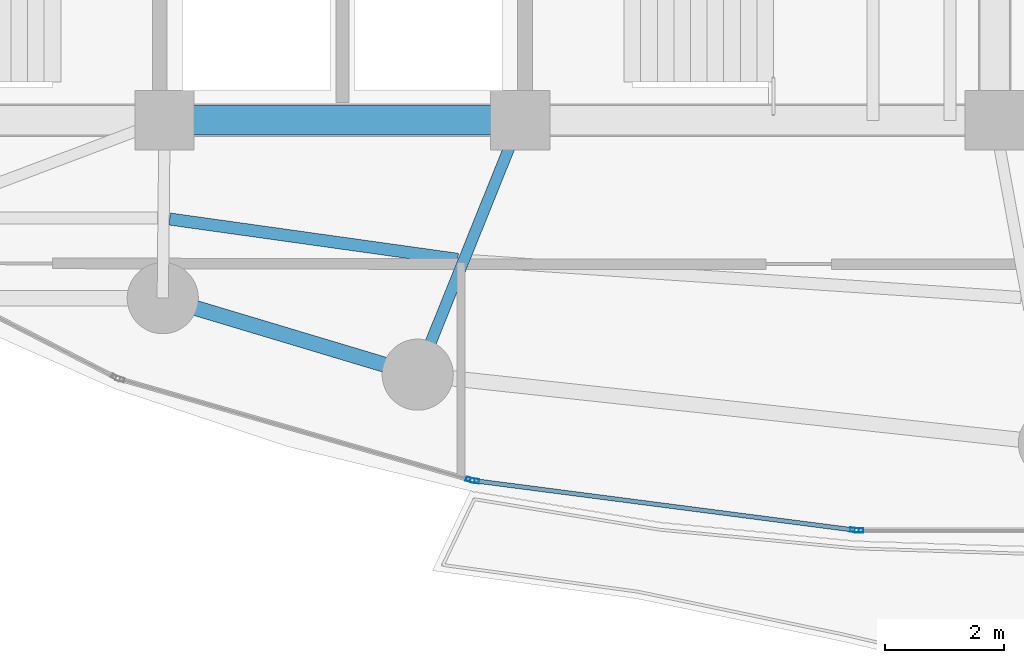
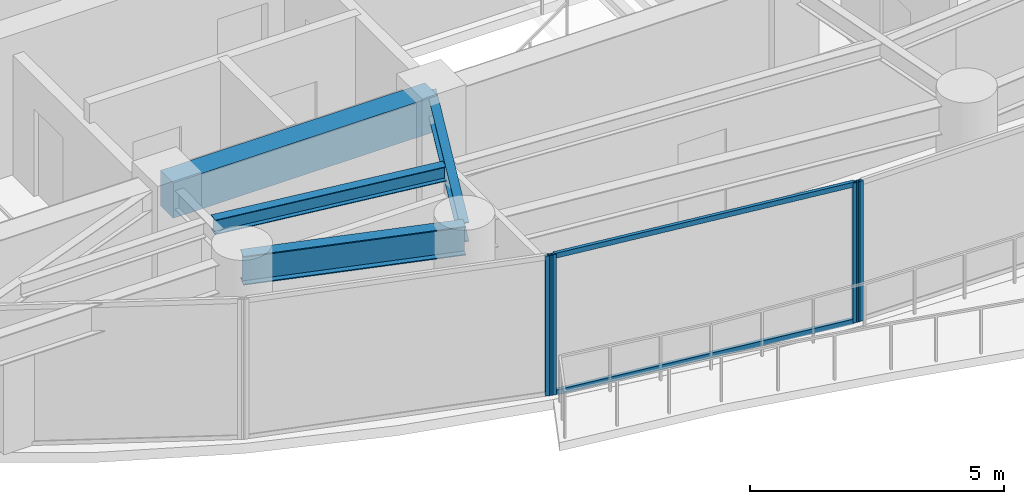
# One storey, part 5 of 30: 6 members, 4 beams, 3 elements without a shape of their own.
"""IFC4 building model written with IfcOpenShell, lengths in metres."""

from ifc_helpers import new_model, si_unit, direction, frame, origin, origin_2d, place, context, subcontext, project, spatial, rectangle, hollow_rectangle, i_section, extrude, material, layer, layer_set, material_profile, profile_set, type_object, element, aggregate, save


model = new_model("IFC4")

# Units and contexts
model_context = context("Model", 3, precision=1e-05, world=origin(), true_north=direction((0.0, 1.0)))
body_context = subcontext(model_context, "Body", "Model", "MODEL_VIEW")
ifc_project = project(units=[si_unit("LENGTHUNIT", "METRE"), si_unit("AREAUNIT", "SQUARE_METRE"), si_unit("VOLUMEUNIT", "CUBIC_METRE"), si_unit("PLANEANGLEUNIT", "RADIAN"), si_unit("MASSUNIT", "GRAM", prefix="KILO")], contexts=[model_context])

# Site, building, storey
site_placement = place(None, origin())
site = spatial("IfcSite", under=ifc_project, at=site_placement, CompositionType="ELEMENT")
building_placement = place(site_placement, origin())
building = spatial("IfcBuilding", under=site, at=building_placement, Name="Kazevale Care Tower and Concert Hall", CompositionType="ELEMENT")
storey_placement = place(building_placement, frame((0.0, 0.0, 127.800048828125)))
storey = spatial("IfcBuildingStorey", under=building, at=storey_placement, Name="L33", CompositionType="ELEMENT", Elevation=127.800048828125)

# Curtain wall, member
ifc_material_1 = material(Name="Aluminium 6063-T6 and Low-E Glass", Category="aluminium")
ifc_layer = layer(ifc_material_1, 0.179931640625)
ifc_layer_set = layer_set([ifc_layer], Name="Aluminium 6063-T6 and Low-E Glass")
curtain_wall_type = type_object("IfcCurtainWallType", Name="Sheltered Concave Balcony Curtain Wall CW-5", PredefinedType="NOTDEFINED", material=ifc_layer_set)
curtain_wall_1_placement = place(storey_placement, origin())
curtain_wall_1 = element("IfcCurtainWall", 1, at=curtain_wall_1_placement, inside=storey, type_object=curtain_wall_type, Name="cw:L33:f06", PredefinedType="NOTDEFINED")
ifc_material_2 = material(Name="Aluminium 6063-T6", Category="aluminium")
ifc_material_profile_1 = material_profile(ifc_material_2, hollow_rectangle(XDim=0.074951171875, YDim=0.14990234375, WallThickness=0.00390625, at=origin_2d()), Name="ALU75x150x4")
ifc_profile_set_1 = profile_set([ifc_material_profile_1], Name="Aluminium 6063-T6")
member_type_1 = type_object("IfcMemberType", Name="CW-5 Mullion ALU75x150x4", PredefinedType="MULLION", material=ifc_profile_set_1)
member_1_placement = place(storey_placement, frame((41.71240234375, 16.68408203125, 0.0), z_axis=(0.0, 0.0, 1.0), x_axis=(0.0, -1.0, 0.0)))
member_1 = element("IfcMember", 2, at=member_1_placement, type_object=member_type_1, Name="CW-5 mullion 2", PredefinedType="MULLION", context=body_context, shape_type="SweptSolid", body=[
    extrude(hollow_rectangle(XDim=0.074951171875, YDim=0.14990234375, WallThickness=0.00390625, at=origin_2d()), origin(), (0.0, 0.0, 1.0), 3.35986328125),
])
aggregate(curtain_wall_1, [member_1])

# Curtain wall, members
curtain_wall_2_placement = place(storey_placement, origin())
curtain_wall_2 = element("IfcCurtainWall", 3, at=curtain_wall_2_placement, inside=storey, type_object=curtain_wall_type, Name="cw:L33:f07", PredefinedType="NOTDEFINED")
member_2_placement = place(storey_placement, frame((41.6376953125, 16.688720703125, 0.0), z_axis=(0.0, 0.0, 1.0), x_axis=(-0.12868500567, -0.991685519364, 0.0)))
member_2 = element("IfcMember", 4, at=member_2_placement, type_object=member_type_1, Name="CW-5 mullion 1", PredefinedType="MULLION", context=body_context, shape_type="SweptSolid", body=[
    extrude(hollow_rectangle(XDim=0.074951171875, YDim=0.14990234375, WallThickness=0.00390625, at=origin_2d()), origin(), (0.0, 0.0, 1.0), 3.35986328125),
])
member_3_placement = place(storey_placement, frame((35.231201171875, 17.520263671875, 0.0), z_axis=(0.0, 0.0, 1.0), x_axis=(-0.12868500567, -0.991685519364, 0.0)))
member_3 = element("IfcMember", 5, at=member_3_placement, type_object=member_type_1, Name="CW-5 mullion 2", PredefinedType="MULLION", context=body_context, shape_type="SweptSolid", body=[
    extrude(hollow_rectangle(XDim=0.074951171875, YDim=0.14990234375, WallThickness=0.00390625, at=origin_2d()), origin(), (0.0, 0.0, 1.0), 3.35986328125),
])

# Curtain wall, member
curtain_wall_3_placement = place(storey_placement, origin())
curtain_wall_3 = element("IfcCurtainWall", 6, at=curtain_wall_3_placement, inside=storey, type_object=curtain_wall_type, Name="cw:L33:f08", PredefinedType="NOTDEFINED")
member_4_placement = place(storey_placement, frame((35.157958984375, 17.535400390625, 0.0), z_axis=(0.0, 0.0, 1.0), x_axis=(-0.276290733172, -0.961074102639, 0.0)))
member_4 = element("IfcMember", 7, at=member_4_placement, type_object=member_type_1, Name="CW-5 mullion 1", PredefinedType="MULLION", context=body_context, shape_type="SweptSolid", body=[
    extrude(hollow_rectangle(XDim=0.074951171875, YDim=0.14990234375, WallThickness=0.00390625, at=origin_2d()), origin(), (0.0, 0.0, 1.0), 3.35986328125),
])
aggregate(curtain_wall_3, [member_4])

# Member
ifc_material_profile_2 = material_profile(ifc_material_2, hollow_rectangle(XDim=0.074951171875, YDim=0.1201171875, WallThickness=0.00390625, at=origin_2d()), Name="ALU75x120x4")
ifc_profile_set_2 = profile_set([ifc_material_profile_2], Name="Aluminium 6063-T6")
member_type_2 = type_object("IfcMemberType", Name="CW-5 Transom ALU75x120x4", PredefinedType="USERDEFINED", material=ifc_profile_set_2)
member_5_placement = place(storey_placement, frame((41.6005859375, 16.693603515625, 0.037353515625), z_axis=(-0.991683991743, 0.12869677743, 0.0), x_axis=(-0.12869677743, -0.991683991743, 0.0)))
member_5 = element("IfcMember", 8, at=member_5_placement, type_object=member_type_2, Name="CW-5 transom 1.1", ObjectType="TRANSOM", PredefinedType="USERDEFINED", context=body_context, shape_type="SweptSolid", body=[
    extrude(hollow_rectangle(XDim=0.074951171875, YDim=0.1201171875, WallThickness=0.00390625, at=origin_2d()), origin(), (0.0, 0.0, 1.0), 6.385498046875),
])

member_6_placement = place(storey_placement, frame((41.6005859375, 16.693603515625, 3.322509765625), z_axis=(-0.991683991743, 0.12869677743, 0.0), x_axis=(-0.12869677743, -0.991683991743, 0.0)))
member_6 = element("IfcMember", 9, at=member_6_placement, type_object=member_type_2, Name="CW-5 transom 1.2", ObjectType="TRANSOM", PredefinedType="USERDEFINED", context=body_context, shape_type="SweptSolid", body=[
    extrude(hollow_rectangle(XDim=0.074951171875, YDim=0.1201171875, WallThickness=0.00390625, at=origin_2d()), origin(), (0.0, 0.0, 1.0), 6.385498046875),
])

aggregate(curtain_wall_2, [member_2, member_3, member_5, member_6])

# Beams
ifc_material_3 = material(Name="Concrete C60", Category="concrete")
ifc_material_profile_3 = material_profile(ifc_material_3, rectangle(XDim=0.5, YDim=0.85009765625, at=origin_2d()), Name="RC-B500x850")
ifc_profile_set_3 = profile_set([ifc_material_profile_3], Name="Concrete C60")
beam_type_1 = type_object("IfcBeamType", Name="Core Coupling Beam RC500x850", PredefinedType="LINTEL", material=ifc_profile_set_3)
beam_1_placement = place(storey_placement, frame((30.0, 23.60009765625, 2.93505859375), z_axis=(1.0, 0.0, 0.0), x_axis=(0.0, 1.0, 0.0)))
element("IfcBeam", 10, at=beam_1_placement, inside=storey, type_object=beam_type_1, Name="beam:L33:coretie:2", PredefinedType="LINTEL", context=body_context, shape_type="SweptSolid", body=[
    extrude(rectangle(XDim=0.5, YDim=0.85009765625, at=origin_2d()), origin(), (0.0, 0.0, 1.0), 6.0),
])
ifc_material_4 = material(Name="Steel ASTM A572 Gr 50", Category="steel")
ifc_material_profile_4 = material_profile(ifc_material_4, i_section(OverallWidth=0.19091796875, OverallDepth=0.4599609375, WebThickness=0.010009765625, FlangeThickness=0.01611328125, at=origin_2d()), Name="W460x82")
ifc_profile_set_4 = profile_set([ifc_material_profile_4], Name="Steel ASTM A572 Gr 50")
beam_type_2 = type_object("IfcBeamType", Name="Radial Floor Beam W460x82", PredefinedType="BEAM", material=ifc_profile_set_4)
beam_2_placement = place(storey_placement, frame((36.0, 23.60009765625, 3.1298828125), z_axis=(-0.373991766452, -0.927432023722, 0.0), x_axis=(0.927432023722, -0.373991766452, 0.0)))
element("IfcBeam", 11, at=beam_2_placement, inside=storey, type_object=beam_type_2, Name="beam:L33:rad:12", PredefinedType="BEAM", context=body_context, shape_type="SweptSolid", body=[
    extrude(i_section(OverallWidth=0.19091796875, OverallDepth=0.4599609375, WebThickness=0.010009765625, FlangeThickness=0.01611328125, at=origin_2d()), origin(), (0.0, 0.0, 1.0), 4.625732421875),
])
ifc_material_profile_5 = material_profile(ifc_material_4, i_section(OverallWidth=0.205078125, OverallDepth=0.35400390625, WebThickness=0.009521484375, FlangeThickness=0.016845703125, at=origin_2d()), Name="W360x79")
ifc_profile_set_5 = profile_set([ifc_material_profile_5], Name="Steel ASTM A572 Gr 50")
beam_type_3 = type_object("IfcBeamType", Name="Secondary Floor Joist W360x79", PredefinedType="JOIST", material=ifc_profile_set_5)
beam_3_placement = place(storey_placement, frame((30.0869140625, 21.93505859375, 3.182861328125), z_axis=(0.990340789942, -0.138654678164, 0.0), x_axis=(0.138654678164, 0.990340789942, 0.0)))
element("IfcBeam", 12, at=beam_3_placement, inside=storey, type_object=beam_type_3, Name="beam:L33:joist:11", PredefinedType="JOIST", context=body_context, shape_type="SweptSolid", body=[
    extrude(i_section(OverallWidth=0.205078125, OverallDepth=0.35400390625, WebThickness=0.009521484375, FlangeThickness=0.016845703125, at=origin_2d()), origin(), (0.0, 0.0, 1.0), 4.905517578125),
])
ifc_material_profile_6 = material_profile(ifc_material_4, i_section(OverallWidth=0.256103515625, OverallDepth=0.693115234375, WebThickness=0.014404296875, FlangeThickness=0.023681640625, at=origin_2d()), Name="W690x170")
ifc_profile_set_6 = profile_set([ifc_material_profile_6], Name="Steel ASTM A572 Gr 50")
beam_type_4 = type_object("IfcBeamType", Name="Waist Ring Beam W690x170", PredefinedType="BEAM", material=ifc_profile_set_6)
beam_4_placement = place(storey_placement, frame((29.969970703125, 20.60009765625, 3.013427734375), z_axis=(0.957824788464, -0.287352874709, 0.0), x_axis=(0.287352874709, 0.957824788464, 0.0)))
element("IfcBeam", 13, at=beam_4_placement, inside=storey, type_object=beam_type_4, Name="beam:L33:ring:11", PredefinedType="BEAM", context=body_context, shape_type="SweptSolid", body=[
    extrude(i_section(OverallWidth=0.256103515625, OverallDepth=0.693115234375, WebThickness=0.014404296875, FlangeThickness=0.023681640625, at=origin_2d()), origin(), (0.0, 0.0, 1.0), 4.489501953125),
])

save(model, "model.ifc")
